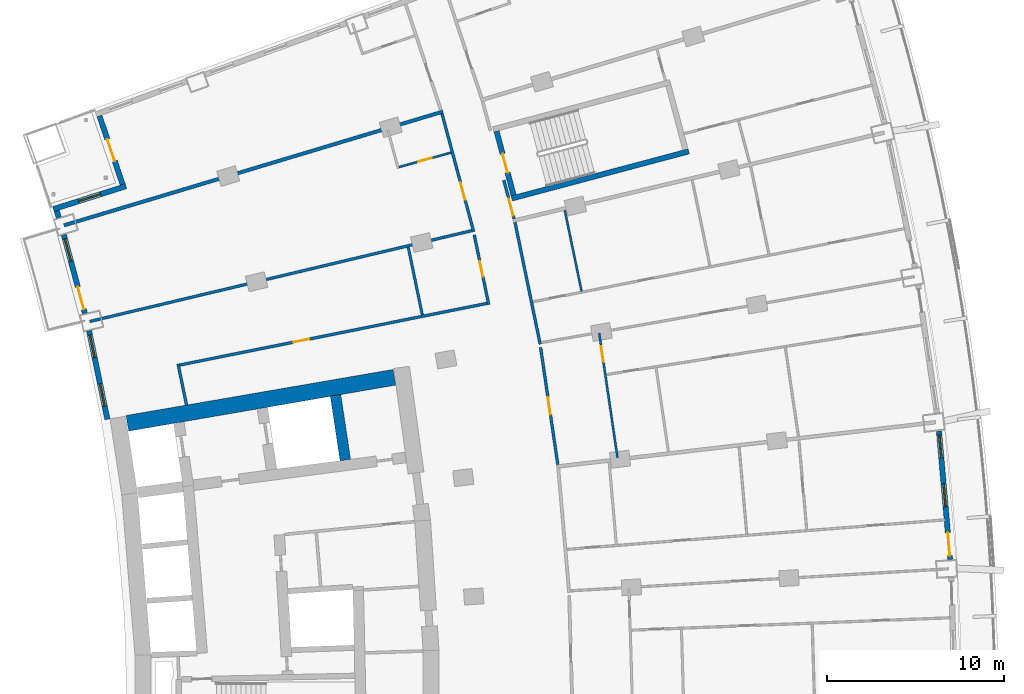
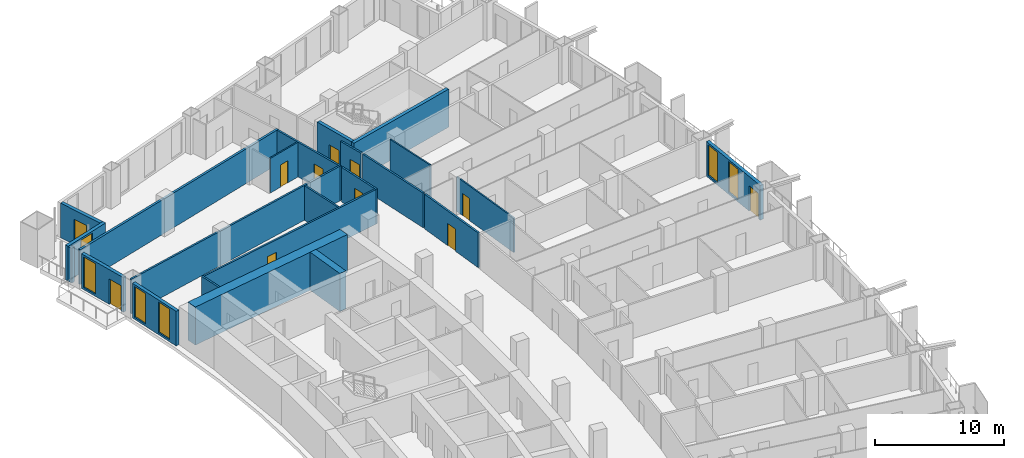
# One storey, part 19 of 25: 23 walls, 11 doors, 6 windows, 17 openings.
"""IFC4 building model written with IfcOpenShell, lengths in metres."""

from ifc_helpers import new_model, si_unit, direction, frame, frame_2d, origin, place, context, subcontext, project, spatial, rectangle, extrude, material, layer, layer_set, type_object, element, fill, save


model = new_model("IFC4")

# Units and contexts
model_context = context("Model", 3, precision=1e-05, world=origin(), true_north=direction((0.0, 1.0)))
body_context = subcontext(model_context, "Body", "Model", "MODEL_VIEW")
ifc_project = project(units=[si_unit("LENGTHUNIT", "METRE"), si_unit("AREAUNIT", "SQUARE_METRE"), si_unit("VOLUMEUNIT", "CUBIC_METRE"), si_unit("PLANEANGLEUNIT", "RADIAN"), si_unit("MASSUNIT", "GRAM", prefix="KILO")], contexts=[model_context])

# Site, building, storey
site_placement = place(None, origin())
site = spatial("IfcSite", under=ifc_project, at=site_placement, CompositionType="ELEMENT")
building_placement = place(site_placement, origin())
building = spatial("IfcBuilding", under=site, at=building_placement, Name="Alderwake Tower", CompositionType="ELEMENT")
storey_placement = place(building_placement, frame((0.0, 0.0, 57.199951171875)))
storey = spatial("IfcBuildingStorey", under=building, at=storey_placement, Name="L13", CompositionType="ELEMENT", Elevation=57.199951171875)

# Walls
ifc_material_1 = material(Name="Concrete C70/85", Category="concrete")
ifc_layer_1 = layer(ifc_material_1, 0.89990234375)
ifc_layer_set_1 = layer_set([ifc_layer_1], Name="Core wall outer 900 C70-85")
wall_type_1 = type_object("IfcWallType", Name="Core wall outer 900 C70-85", PredefinedType="SHEAR", material=ifc_layer_set_1)
wall_1_placement = place(storey_placement, frame((16.005615234375, 77.548828125, 0.0), z_axis=(0.0, 0.0, 1.0), x_axis=(0.985465815888, 0.169873852363, 0.0)))
element("IfcWall", 1, at=wall_1_placement, inside=storey, type_object=wall_type_1, Name="Core wall CW.053", PredefinedType="SHEAR", context=body_context, shape_type="SweptSolid", body=[
    extrude(rectangle(XDim=15.33056640625, YDim=0.89990234375, at=frame_2d((7.665283203125, 0.0))), origin(), (0.0, 0.0, 1.0), 3.60009765625),
])
ifc_material_2 = material(Name="Concrete C70/85", Category="concrete")
ifc_layer_2 = layer(ifc_material_2, 0.60009765625)
ifc_layer_set_2 = layer_set([ifc_layer_2], Name="Core wall spine 600 C70-85")
wall_type_2 = type_object("IfcWallType", Name="Core wall spine 600 C70-85", PredefinedType="SHEAR", material=ifc_layer_set_2)
wall_2_placement = place(storey_placement, frame((28.337646484375, 75.472412109375, 0.0), z_axis=(0.0, 0.0, 1.0), x_axis=(-0.149224787751, 0.988803298296, 0.0)))
element("IfcWall", 2, at=wall_2_placement, inside=storey, type_object=wall_type_2, Name="Core wall CW.001", PredefinedType="SHEAR", context=body_context, shape_type="SweptSolid", body=[
    extrude(rectangle(XDim=3.712158203125, YDim=0.60009765625, at=frame_2d((1.85595703125, 0.0))), origin(), (0.0, 0.0, 1.0), 3.60009765625),
])
ifc_material_3 = material(Name="Concrete C70/85", Category="concrete")
ifc_layer_3 = layer(ifc_material_3, 0.300048828125)
ifc_layer_set_3 = layer_set([ifc_layer_3], Name="Core wall stair enclosure 300 C70-85")
wall_type_3 = type_object("IfcWallType", Name="Core wall stair enclosure 300 C70-85", PredefinedType="SHEAR", material=ifc_layer_set_3)
wall_3_placement = place(storey_placement, frame((37.75390625, 90.268798828125, 0.0), z_axis=(0.0, 0.0, 1.0), x_axis=(0.966309214305, 0.257383958996, 0.0)))
element("IfcWall", 3, at=wall_3_placement, inside=storey, type_object=wall_type_3, Name="Core wall CW.084", PredefinedType="SHEAR", context=body_context, shape_type="SweptSolid", body=[
    extrude(rectangle(XDim=10.360107421875, YDim=0.300048828125, at=frame_2d((5.18017578125, 0.0))), origin(), (0.0, 0.0, 1.0), 3.60009765625),
])

# Wall, opening, door
wall_4_placement = place(storey_placement, frame((37.8603515625, 90.452392578125, 0.0), z_axis=(0.0, 0.0, 1.0), x_axis=(-0.257411420208, 0.966301899381, 0.0)))
wall_4 = element("IfcWall", 4, at=wall_4_placement, inside=storey, type_object=wall_type_3, Name="Core wall CW.083", PredefinedType="SHEAR", context=body_context, shape_type="SweptSolid", body=[
    extrude(rectangle(XDim=3.750244140625, YDim=0.300048828125, at=frame_2d((1.875, 0.0))), origin(), (0.0, 0.0, 1.0), 3.60009765625),
])
opening_1_placement = place(wall_4_placement, frame((1.324951171875, 0.0, 0.0)))
opening_1 = element("IfcOpeningElement", 5, at=opening_1_placement, cuts=wall_4, Name="Opening C062", PredefinedType="OPENING", context=body_context, shape_type="SweptSolid", body=[
    extrude(rectangle(XDim=1.10009765625, YDim=2.10009765625, at=frame_2d((0.550048828125, 1.050048828125))), frame((0.0, 0.159912109375, 0.0), z_axis=(0.0, -1.0, 0.0), x_axis=(1.0, 0.0, 0.0)), (0.0, 0.0, 1.0), 0.320068359375),
])
ifc_material_4 = material(Name="Steel-framed fire door leaf", Category="steel")
door_type_1 = type_object("IfcDoorType", Name="Core stair door 1100 fire-rated", OperationType="SINGLE_SWING_LEFT", PredefinedType="DOOR", material=ifc_material_4)
door_1_placement = place(opening_1_placement, origin())
door_1 = element("IfcDoor", 6, at=door_1_placement, inside=storey, type_object=door_type_1, Name="Stair door", OperationType="SINGLE_SWING_LEFT", OverallHeight=2.10009765625, OverallWidth=1.10009765625, PredefinedType="DOOR", context=body_context, shape_type="SweptSolid", body=[
    extrude(rectangle(XDim=1.10009765625, YDim=2.10009765625, at=frame_2d((0.550048828125, 1.050048828125))), frame((0.0, 0.02490234375, 0.0), z_axis=(0.0, -1.0, 0.0), x_axis=(1.0, 0.0, 0.0)), (0.0, 0.0, 1.0), 0.050048828125),
])
fill(opening_1, door_1)

# Wall
ifc_material_5 = material(Name="Gypsum board on metal studs, rated")
ifc_layer_4 = layer(ifc_material_5, 0.159912109375)
ifc_layer_set_4 = layer_set([ifc_layer_4], Name="Corridor wall 160")
wall_type_4 = type_object("IfcWallType", Name="Corridor wall 160", PredefinedType="PARTITIONING", material=ifc_layer_set_4)
wall_5_placement = place(storey_placement, frame((18.874755859375, 80.910400390625, 0.0), z_axis=(0.0, 0.0, 1.0), x_axis=(0.202312089075, -0.979321100873, 0.0)))
element("IfcWall", 7, at=wall_5_placement, inside=storey, type_object=wall_type_4, Name="WL/L13/W15", PredefinedType="PARTITIONING", context=body_context, shape_type="SweptSolid", body=[
    extrude(rectangle(XDim=2.39306640625, YDim=0.159912109375, at=frame_2d((1.196533203125, 0.0))), origin(), (0.0, 0.0, 1.0), 3.280029296875),
])

# Wall, opening, door
wall_6_placement = place(storey_placement, frame((35.600830078125, 88.392578125, 0.0), z_axis=(0.0, 0.0, 1.0), x_axis=(-0.2593979597, 0.965770520622, 0.0)))
wall_6 = element("IfcWall", 8, at=wall_6_placement, inside=storey, type_object=wall_type_4, Name="WL/L13/W20", PredefinedType="PARTITIONING", context=body_context, shape_type="SweptSolid", body=[
    extrude(rectangle(XDim=6.9072265625, YDim=0.159912109375, at=frame_2d((3.45361328125, 0.0))), origin(), (0.0, 0.0, 1.0), 3.280029296875),
])
opening_2_placement = place(wall_6_placement, frame((1.865478515625, 0.0, 0.0)))
opening_2 = element("IfcOpeningElement", 9, at=opening_2_placement, cuts=wall_6, Name="Opening R03-U11.1", PredefinedType="OPENING", context=body_context, shape_type="SweptSolid", body=[
    extrude(rectangle(XDim=1.0, YDim=2.10009765625, at=frame_2d((0.5, 1.050048828125))), frame((0.0, 0.08984375, 0.0), z_axis=(0.0, -1.0, 0.0), x_axis=(1.0, 0.0, 0.0)), (0.0, 0.0, 1.0), 0.179931640625),
])
ifc_material_6 = material(Name="Solid timber leaf in steel frame", Category="steel")
door_type_2 = type_object("IfcDoorType", Name="Flat entrance door 1000 fire-rated", OperationType="SINGLE_SWING_LEFT", PredefinedType="DOOR", material=ifc_material_6)
door_2_placement = place(opening_2_placement, origin())
door_2 = element("IfcDoor", 10, at=door_2_placement, inside=storey, type_object=door_type_2, Name="DR/L13/U11.1", OperationType="SINGLE_SWING_LEFT", OverallHeight=2.10009765625, OverallWidth=1.0, PredefinedType="DOOR", context=body_context, shape_type="SweptSolid", body=[
    extrude(rectangle(XDim=1.0, YDim=2.10009765625, at=frame_2d((0.5, 1.050048828125))), frame((0.0, 0.02490234375, 0.0), z_axis=(0.0, -1.0, 0.0), x_axis=(1.0, 0.0, 0.0)), (0.0, 0.0, 1.0), 0.050048828125),
])
fill(opening_2, door_2)

# Wall
wall_7_placement = place(storey_placement, frame((35.502197265625, 88.451416015625, 0.0), z_axis=(0.0, 0.0, 1.0), x_axis=(-0.972894913244, -0.231247676278, 0.0)))
element("IfcWall", 11, at=wall_7_placement, inside=storey, type_object=wall_type_4, Name="WL/L13/W22", PredefinedType="PARTITIONING", context=body_context, shape_type="SweptSolid", body=[
    extrude(rectangle(XDim=22.220458984375, YDim=0.159912109375, at=frame_2d((11.1103515625, 0.0))), origin(), (0.0, 0.0, 1.0), 3.280029296875),
])

# Wall, opening, door
wall_8_placement = place(storey_placement, frame((36.451416015625, 84.272705078125, 0.0), z_axis=(0.0, 0.0, 1.0), x_axis=(-0.203258199701, 0.979125172924, 0.0)))
wall_8 = element("IfcWall", 12, at=wall_8_placement, inside=storey, type_object=wall_type_4, Name="WL/L13/W23", PredefinedType="PARTITIONING", context=body_context, shape_type="SweptSolid", body=[
    extrude(rectangle(XDim=4.020263671875, YDim=0.159912109375, at=frame_2d((2.01025390625, 0.0))), origin(), (0.0, 0.0, 1.0), 3.280029296875),
])
opening_3_placement = place(wall_8_placement, frame((1.599609375, 0.0, 0.0)))
opening_3 = element("IfcOpeningElement", 13, at=opening_3_placement, cuts=wall_8, Name="Opening R03-SBN2", PredefinedType="OPENING", context=body_context, shape_type="SweptSolid", body=[
    extrude(rectangle(XDim=0.89990234375, YDim=2.10009765625, at=frame_2d((0.449951171875, 1.050048828125))), frame((0.0, 0.08984375, 0.0), z_axis=(0.0, -1.0, 0.0), x_axis=(1.0, 0.0, 0.0)), (0.0, 0.0, 1.0), 0.179931640625),
])
ifc_material_7 = material(Name="Painted timber leaf", Category="wood")
door_type_3 = type_object("IfcDoorType", Name="Room door 900", OperationType="SINGLE_SWING_LEFT", PredefinedType="DOOR", material=ifc_material_7)
door_3_placement = place(opening_3_placement, origin())
door_3 = element("IfcDoor", 14, at=door_3_placement, inside=storey, type_object=door_type_3, Name="DR/L13/SBN2", OperationType="SINGLE_SWING_LEFT", OverallHeight=2.10009765625, OverallWidth=0.89990234375, PredefinedType="DOOR", context=body_context, shape_type="SweptSolid", body=[
    extrude(rectangle(XDim=0.89990234375, YDim=2.10009765625, at=frame_2d((0.449951171875, 1.050048828125))), frame((0.0, 0.02490234375, 0.0), z_axis=(0.0, -1.0, 0.0), x_axis=(1.0, 0.0, 0.0)), (0.0, 0.0, 1.0), 0.050048828125),
])
fill(opening_3, door_3)

wall_9_placement = place(storey_placement, frame((18.969482421875, 80.84765625, 0.0), z_axis=(0.0, 0.0, 1.0), x_axis=(0.980470914622, 0.196664144112, 0.0)))
wall_9 = element("IfcWall", 15, at=wall_9_placement, inside=storey, type_object=wall_type_4, Name="WL/L13/W27", PredefinedType="PARTITIONING", context=body_context, shape_type="SweptSolid", body=[
    extrude(rectangle(XDim=17.733642578125, YDim=0.159912109375, at=frame_2d((8.86669921875, 0.0))), origin(), (0.0, 0.0, 1.0), 3.280029296875),
])
opening_4_placement = place(wall_9_placement, frame((6.556884765625, 0.0, 0.0)))
opening_4 = element("IfcOpeningElement", 16, at=opening_4_placement, cuts=wall_9, Name="Opening R03-SBN1", PredefinedType="OPENING", context=body_context, shape_type="SweptSolid", body=[
    extrude(rectangle(XDim=0.89990234375, YDim=2.10009765625, at=frame_2d((0.449951171875, 1.050048828125))), frame((0.0, 0.08984375, 0.0), z_axis=(0.0, -1.0, 0.0), x_axis=(1.0, 0.0, 0.0)), (0.0, 0.0, 1.0), 0.179931640625),
])
door_4_placement = place(opening_4_placement, origin())
door_4 = element("IfcDoor", 17, at=door_4_placement, inside=storey, type_object=door_type_3, Name="DR/L13/SBN1", OperationType="SINGLE_SWING_LEFT", OverallHeight=2.10009765625, OverallWidth=0.89990234375, PredefinedType="DOOR", context=body_context, shape_type="SweptSolid", body=[
    extrude(rectangle(XDim=0.89990234375, YDim=2.10009765625, at=frame_2d((0.449951171875, 1.050048828125))), frame((0.0, 0.02490234375, 0.0), z_axis=(0.0, -1.0, 0.0), x_axis=(1.0, 0.0, 0.0)), (0.0, 0.0, 1.0), 0.050048828125),
])
fill(opening_4, door_4)

wall_10_placement = place(storey_placement, frame((37.304931640625, 91.299072265625, 0.0), z_axis=(0.0, 0.0, 1.0), x_axis=(0.259946294884, -0.965623075416, 0.0)))
wall_10 = element("IfcWall", 18, at=wall_10_placement, inside=storey, type_object=wall_type_4, Name="WL/L13/W31", PredefinedType="PARTITIONING", context=body_context, shape_type="SweptSolid", body=[
    extrude(rectangle(XDim=2.255126953125, YDim=0.159912109375, at=frame_2d((1.12744140625, 0.0))), origin(), (0.0, 0.0, 1.0), 3.280029296875),
])
opening_5_placement = place(wall_10_placement, frame((1.083984375, 0.0, 0.0)))
opening_5 = element("IfcOpeningElement", 19, at=opening_5_placement, cuts=wall_10, Name="Opening R03-U02.1", PredefinedType="OPENING", context=body_context, shape_type="SweptSolid", body=[
    extrude(rectangle(XDim=1.0, YDim=2.10009765625, at=frame_2d((0.5, 1.050048828125))), frame((0.0, 0.08984375, 0.0), z_axis=(0.0, -1.0, 0.0), x_axis=(1.0, 0.0, 0.0)), (0.0, 0.0, 1.0), 0.179931640625),
])
door_5_placement = place(opening_5_placement, origin())
door_5 = element("IfcDoor", 20, at=door_5_placement, inside=storey, type_object=door_type_2, Name="DR/L13/U02.1", OperationType="SINGLE_SWING_LEFT", OverallHeight=2.10009765625, OverallWidth=1.0, PredefinedType="DOOR", context=body_context, shape_type="SweptSolid", body=[
    extrude(rectangle(XDim=1.0, YDim=2.10009765625, at=frame_2d((0.5, 1.050048828125))), frame((0.0, 0.02490234375, 0.0), z_axis=(0.0, -1.0, 0.0), x_axis=(1.0, 0.0, 0.0)), (0.0, 0.0, 1.0), 0.050048828125),
])
fill(opening_5, door_5)

# Wall
wall_11_placement = place(storey_placement, frame((39.3642578125, 82.022705078125, 0.0), z_axis=(0.0, 0.0, 1.0), x_axis=(-0.20240521091, 0.979301858773, 0.0)))
element("IfcWall", 21, at=wall_11_placement, inside=storey, type_object=wall_type_4, Name="WL/L13/W33", PredefinedType="PARTITIONING", context=body_context, shape_type="SweptSolid", body=[
    extrude(rectangle(XDim=7.05029296875, YDim=0.159912109375, at=frame_2d((3.525146484375, 0.0))), origin(), (0.0, 0.0, 1.0), 3.280029296875),
])

# Wall, opening, door
wall_12_placement = place(storey_placement, frame((39.38671875, 81.837158203125, 0.0), z_axis=(0.0, 0.0, 1.0), x_axis=(0.145576845789, -0.989346947218, 0.0)))
wall_12 = element("IfcWall", 22, at=wall_12_placement, inside=storey, type_object=wall_type_4, Name="WL/L13/W35", PredefinedType="PARTITIONING", context=body_context, shape_type="SweptSolid", body=[
    extrude(rectangle(XDim=6.701416015625, YDim=0.159912109375, at=frame_2d((3.3505859375, 0.0))), origin(), (0.0, 0.0, 1.0), 3.280029296875),
])
opening_6_placement = place(wall_12_placement, frame((2.850830078125, 0.0, 0.0)))
opening_6 = element("IfcOpeningElement", 23, at=opening_6_placement, cuts=wall_12, Name="Opening R03-U08.2", PredefinedType="OPENING", context=body_context, shape_type="SweptSolid", body=[
    extrude(rectangle(XDim=1.0, YDim=2.10009765625, at=frame_2d((0.5, 1.050048828125))), frame((0.0, 0.08984375, 0.0), z_axis=(0.0, -1.0, 0.0), x_axis=(1.0, 0.0, 0.0)), (0.0, 0.0, 1.0), 0.179931640625),
])
door_6_placement = place(opening_6_placement, origin())
door_6 = element("IfcDoor", 24, at=door_6_placement, inside=storey, type_object=door_type_2, Name="DR/L13/U08.2", OperationType="SINGLE_SWING_LEFT", OverallHeight=2.10009765625, OverallWidth=1.0, PredefinedType="DOOR", context=body_context, shape_type="SweptSolid", body=[
    extrude(rectangle(XDim=1.0, YDim=2.10009765625, at=frame_2d((0.5, 1.050048828125))), frame((0.0, 0.02490234375, 0.0), z_axis=(0.0, -1.0, 0.0), x_axis=(1.0, 0.0, 0.0)), (0.0, 0.0, 1.0), 0.050048828125),
])
fill(opening_6, door_6)

# Wall, openings, door, windows
ifc_material_8 = material(Name="Precast concrete C50/60 spandrel panel", Category="concrete")
ifc_layer_5 = layer(ifc_material_8, 0.300048828125)
ifc_layer_set_5 = layer_set([ifc_layer_5], Name="External wall EW1 Precast concrete C50/60 spandrel")
wall_type_5 = type_object("IfcWallType", Name="External wall EW1 Precast concrete C50/60 spandrel", PredefinedType="SOLIDWALL", material=ifc_layer_set_5)
wall_13_placement = place(storey_placement, frame((62.56103515625, 69.8505859375, 0.0), z_axis=(0.0, 0.0, 1.0), x_axis=(-0.087361569519, 0.996176669156, 0.0)))
wall_13 = element("IfcWall", 25, at=wall_13_placement, inside=storey, type_object=wall_type_5, Name="External wall 18", PredefinedType="SOLIDWALL", context=body_context, shape_type="SweptSolid", body=[
    extrude(rectangle(XDim=7.28271484375, YDim=0.300048828125, at=frame_2d((3.641357421875, 0.0))), origin(), (0.0, 0.0, 1.0), 3.280029296875),
])
opening_7_placement = place(wall_13_placement, frame((0.218994140625, 0.0, 0.0)))
opening_7 = element("IfcOpeningElement", 26, at=opening_7_placement, cuts=wall_13, Name="Opening D08", PredefinedType="OPENING", context=body_context, shape_type="SweptSolid", body=[
    extrude(rectangle(XDim=1.300048828125, YDim=2.39990234375, at=frame_2d((0.64990234375, 1.199951171875))), frame((0.0, 0.159912109375, 0.0), z_axis=(0.0, -1.0, 0.0), x_axis=(1.0, 0.0, 0.0)), (0.0, 0.0, 1.0), 0.320068359375),
])
opening_8_placement = place(wall_13_placement, frame((2.9912109375, 0.0, 0.199951171875)))
opening_8 = element("IfcOpeningElement", 27, at=opening_8_placement, cuts=wall_13, Name="Opening W1", PredefinedType="OPENING", context=body_context, shape_type="SweptSolid", body=[
    extrude(rectangle(XDim=1.300048828125, YDim=2.89990234375, at=frame_2d((0.64990234375, 1.449951171875))), frame((0.0, 0.159912109375, 0.0), z_axis=(0.0, -1.0, 0.0), x_axis=(1.0, 0.0, 0.0)), (0.0, 0.0, 1.0), 0.320068359375),
])
opening_9_placement = place(wall_13_placement, frame((5.763671875, 0.0, 0.199951171875)))
opening_9 = element("IfcOpeningElement", 28, at=opening_9_placement, cuts=wall_13, Name="Opening W1", PredefinedType="OPENING", context=body_context, shape_type="SweptSolid", body=[
    extrude(rectangle(XDim=1.300048828125, YDim=2.89990234375, at=frame_2d((0.64990234375, 1.449951171875))), frame((0.0, 0.159912109375, 0.0), z_axis=(0.0, -1.0, 0.0), x_axis=(1.0, 0.0, 0.0)), (0.0, 0.0, 1.0), 0.320068359375),
])
ifc_material_9 = material(Name="Bronze tinted glass in aluminium frame", Category="aluminium")
door_type_4 = type_object("IfcDoorType", Name="Balcony door BD sliding", OperationType="SLIDING_TO_LEFT", PredefinedType="DOOR", material=ifc_material_9)
door_7_placement = place(opening_7_placement, origin())
door_7 = element("IfcDoor", 29, at=door_7_placement, inside=storey, type_object=door_type_4, Name="Door D08", OperationType="SLIDING_TO_LEFT", OverallHeight=2.39990234375, OverallWidth=1.300048828125, PredefinedType="DOOR", context=body_context, shape_type="SweptSolid", body=[
    extrude(rectangle(XDim=1.300048828125, YDim=2.39990234375, at=frame_2d((0.64990234375, 1.199951171875))), frame((0.0, 0.02490234375, 0.0), z_axis=(0.0, -1.0, 0.0), x_axis=(1.0, 0.0, 0.0)), (0.0, 0.0, 1.0), 0.050048828125),
])
fill(opening_7, door_7)
ifc_material_10 = material(Name="Bronze tinted glass in aluminium frame", Category="aluminium")
window_type = type_object("IfcWindowType", Name="Window W1 tall fixed and vent", PartitioningType="DOUBLE_PANEL_VERTICAL", PredefinedType="WINDOW", material=ifc_material_10)
window_1_placement = place(opening_8_placement, origin())
window_1 = element("IfcWindow", 30, at=window_1_placement, inside=storey, type_object=window_type, Name="Window W1 tall fixed and vent", OverallHeight=2.89990234375, OverallWidth=1.300048828125, PartitioningType="DOUBLE_PANEL_VERTICAL", PredefinedType="WINDOW", context=body_context, shape_type="SweptSolid", body=[
    extrude(rectangle(XDim=1.300048828125, YDim=2.89990234375, at=frame_2d((0.64990234375, 1.449951171875))), frame((0.0, 0.030029296875, 0.0), z_axis=(0.0, -1.0, 0.0), x_axis=(1.0, 0.0, 0.0)), (0.0, 0.0, 1.0), 0.06005859375),
])
fill(opening_8, window_1)
window_2_placement = place(opening_9_placement, origin())
window_2 = element("IfcWindow", 31, at=window_2_placement, inside=storey, type_object=window_type, Name="Window W1 tall fixed and vent", OverallHeight=2.89990234375, OverallWidth=1.300048828125, PartitioningType="DOUBLE_PANEL_VERTICAL", PredefinedType="WINDOW", context=body_context, shape_type="SweptSolid", body=[
    extrude(rectangle(XDim=1.300048828125, YDim=2.89990234375, at=frame_2d((0.64990234375, 1.449951171875))), frame((0.0, 0.030029296875, 0.0), z_axis=(0.0, -1.0, 0.0), x_axis=(1.0, 0.0, 0.0)), (0.0, 0.0, 1.0), 0.06005859375),
])
fill(opening_9, window_2)

# Wall
wall_14_placement = place(storey_placement, frame((12.01416015625, 89.5703125, 0.0), z_axis=(0.0, 0.0, 1.0), x_axis=(0.29468230117, -0.955595281161, 0.0)))
element("IfcWall", 32, at=wall_14_placement, inside=storey, type_object=wall_type_5, Name="External wall 32", PredefinedType="SOLIDWALL", context=body_context, shape_type="SweptSolid", body=[
    extrude(rectangle(XDim=0.402587890625, YDim=0.300048828125, at=frame_2d((0.201171875, 0.0))), origin(), (0.0, 0.0, 1.0), 3.280029296875),
])

# Wall, openings, door, window
wall_15_placement = place(storey_placement, frame((12.4130859375, 88.212890625, 0.0), z_axis=(0.0, 0.0, 1.0), x_axis=(0.259495671332, -0.965744270788, 0.0)))
wall_15 = element("IfcWall", 33, at=wall_15_placement, inside=storey, type_object=wall_type_5, Name="External wall 33", PredefinedType="SOLIDWALL", context=body_context, shape_type="SweptSolid", body=[
    extrude(rectangle(XDim=4.599609375, YDim=0.300048828125, at=frame_2d((2.2998046875, 0.0))), origin(), (0.0, 0.0, 1.0), 3.280029296875),
])
opening_10_placement = place(wall_15_placement, frame((0.2412109375, 0.0, 0.199951171875)))
opening_10 = element("IfcOpeningElement", 34, at=opening_10_placement, cuts=wall_15, Name="Opening W1", PredefinedType="OPENING", context=body_context, shape_type="SweptSolid", body=[
    extrude(rectangle(XDim=1.300048828125, YDim=2.89990234375, at=frame_2d((0.64990234375, 1.449951171875))), frame((0.0, 0.159912109375, 0.0), z_axis=(0.0, -1.0, 0.0), x_axis=(1.0, 0.0, 0.0)), (0.0, 0.0, 1.0), 0.320068359375),
])
opening_11_placement = place(wall_15_placement, frame((3.058349609375, 0.0, 0.0)))
opening_11 = element("IfcOpeningElement", 35, at=opening_11_placement, cuts=wall_15, Name="Opening D14", PredefinedType="OPENING", context=body_context, shape_type="SweptSolid", body=[
    extrude(rectangle(XDim=1.300048828125, YDim=2.39990234375, at=frame_2d((0.64990234375, 1.199951171875))), frame((0.0, 0.159912109375, 0.0), z_axis=(0.0, -1.0, 0.0), x_axis=(1.0, 0.0, 0.0)), (0.0, 0.0, 1.0), 0.320068359375),
])
door_8_placement = place(opening_11_placement, origin())
door_8 = element("IfcDoor", 36, at=door_8_placement, inside=storey, type_object=door_type_4, Name="Door D14", OperationType="SLIDING_TO_LEFT", OverallHeight=2.39990234375, OverallWidth=1.300048828125, PredefinedType="DOOR", context=body_context, shape_type="SweptSolid", body=[
    extrude(rectangle(XDim=1.300048828125, YDim=2.39990234375, at=frame_2d((0.64990234375, 1.199951171875))), frame((0.0, 0.02490234375, 0.0), z_axis=(0.0, -1.0, 0.0), x_axis=(1.0, 0.0, 0.0)), (0.0, 0.0, 1.0), 0.050048828125),
])
fill(opening_11, door_8)
window_3_placement = place(opening_10_placement, origin())
window_3 = element("IfcWindow", 37, at=window_3_placement, inside=storey, type_object=window_type, Name="Window W1 tall fixed and vent", OverallHeight=2.89990234375, OverallWidth=1.300048828125, PartitioningType="DOUBLE_PANEL_VERTICAL", PredefinedType="WINDOW", context=body_context, shape_type="SweptSolid", body=[
    extrude(rectangle(XDim=1.300048828125, YDim=2.89990234375, at=frame_2d((0.64990234375, 1.449951171875))), frame((0.0, 0.030029296875, 0.0), z_axis=(0.0, -1.0, 0.0), x_axis=(1.0, 0.0, 0.0)), (0.0, 0.0, 1.0), 0.06005859375),
])
fill(opening_10, window_3)

# Wall, openings, windows
wall_16_placement = place(storey_placement, frame((13.842529296875, 82.77880859375, 0.0), z_axis=(0.0, 0.0, 1.0), x_axis=(0.202738354746, -0.979232944459, 0.0)))
wall_16 = element("IfcWall", 38, at=wall_16_placement, inside=storey, type_object=wall_type_5, Name="External wall 34", PredefinedType="SOLIDWALL", context=body_context, shape_type="SweptSolid", body=[
    extrude(rectangle(XDim=5.1083984375, YDim=0.300048828125, at=frame_2d((2.55419921875, 0.0))), origin(), (0.0, 0.0, 1.0), 3.280029296875),
])
opening_12_placement = place(wall_16_placement, frame((0.239013671875, 0.0, 0.199951171875)))
opening_12 = element("IfcOpeningElement", 39, at=opening_12_placement, cuts=wall_16, Name="Opening W1", PredefinedType="OPENING", context=body_context, shape_type="SweptSolid", body=[
    extrude(rectangle(XDim=1.300048828125, YDim=2.89990234375, at=frame_2d((0.64990234375, 1.449951171875))), frame((0.0, 0.159912109375, 0.0), z_axis=(0.0, -1.0, 0.0), x_axis=(1.0, 0.0, 0.0)), (0.0, 0.0, 1.0), 0.320068359375),
])
opening_13_placement = place(wall_16_placement, frame((3.0517578125, 0.0, 0.199951171875)))
opening_13 = element("IfcOpeningElement", 40, at=opening_13_placement, cuts=wall_16, Name="Opening W1", PredefinedType="OPENING", context=body_context, shape_type="SweptSolid", body=[
    extrude(rectangle(XDim=1.300048828125, YDim=2.89990234375, at=frame_2d((0.64990234375, 1.449951171875))), frame((0.0, 0.159912109375, 0.0), z_axis=(0.0, -1.0, 0.0), x_axis=(1.0, 0.0, 0.0)), (0.0, 0.0, 1.0), 0.320068359375),
])
window_4_placement = place(opening_12_placement, origin())
window_4 = element("IfcWindow", 41, at=window_4_placement, inside=storey, type_object=window_type, Name="Window W1 tall fixed and vent", OverallHeight=2.89990234375, OverallWidth=1.300048828125, PartitioningType="DOUBLE_PANEL_VERTICAL", PredefinedType="WINDOW", context=body_context, shape_type="SweptSolid", body=[
    extrude(rectangle(XDim=1.300048828125, YDim=2.89990234375, at=frame_2d((0.64990234375, 1.449951171875))), frame((0.0, 0.030029296875, 0.0), z_axis=(0.0, -1.0, 0.0), x_axis=(1.0, 0.0, 0.0)), (0.0, 0.0, 1.0), 0.06005859375),
])
fill(opening_12, window_4)
window_5_placement = place(opening_13_placement, origin())
window_5 = element("IfcWindow", 42, at=window_5_placement, inside=storey, type_object=window_type, Name="Window W1 tall fixed and vent", OverallHeight=2.89990234375, OverallWidth=1.300048828125, PartitioningType="DOUBLE_PANEL_VERTICAL", PredefinedType="WINDOW", context=body_context, shape_type="SweptSolid", body=[
    extrude(rectangle(XDim=1.300048828125, YDim=2.89990234375, at=frame_2d((0.64990234375, 1.449951171875))), frame((0.0, 0.030029296875, 0.0), z_axis=(0.0, -1.0, 0.0), x_axis=(1.0, 0.0, 0.0)), (0.0, 0.0, 1.0), 0.06005859375),
])
fill(opening_13, window_5)

# Wall, opening, door
ifc_material_11 = material(Name="Bronze metal cladding on lightweight framing")
ifc_layer_6 = layer(ifc_material_11, 0.300048828125)
ifc_layer_set_6 = layer_set([ifc_layer_6], Name="External wall EW2 bronze metal cladding")
wall_type_6 = type_object("IfcWallType", Name="External wall EW2 bronze metal cladding", PredefinedType="SOLIDWALL", material=ifc_layer_set_6)
wall_17_placement = place(storey_placement, frame((14.430908203125, 94.937744140625, 0.0), z_axis=(0.0, 0.0, 1.0), x_axis=(0.320379458656, -0.947289291859, 0.0)))
wall_17 = element("IfcWall", 43, at=wall_17_placement, inside=storey, type_object=wall_type_6, Name="External wall 30", PredefinedType="SOLIDWALL", context=body_context, shape_type="SweptSolid", body=[
    extrude(rectangle(XDim=4.08984375, YDim=0.300048828125, at=frame_2d((2.044921875, 0.0))), origin(), (0.0, 0.0, 1.0), 3.280029296875),
])
opening_14_placement = place(wall_17_placement, frame((1.39501953125, 0.0, 0.0)))
opening_14 = element("IfcOpeningElement", 44, at=opening_14_placement, cuts=wall_17, Name="Opening D13", PredefinedType="OPENING", context=body_context, shape_type="SweptSolid", body=[
    extrude(rectangle(XDim=1.300048828125, YDim=2.39990234375, at=frame_2d((0.64990234375, 1.199951171875))), frame((0.0, 0.159912109375, 0.0), z_axis=(0.0, -1.0, 0.0), x_axis=(1.0, 0.0, 0.0)), (0.0, 0.0, 1.0), 0.320068359375),
])
door_9_placement = place(opening_14_placement, origin())
door_9 = element("IfcDoor", 45, at=door_9_placement, inside=storey, type_object=door_type_4, Name="Door D13", OperationType="SLIDING_TO_LEFT", OverallHeight=2.39990234375, OverallWidth=1.300048828125, PredefinedType="DOOR", context=body_context, shape_type="SweptSolid", body=[
    extrude(rectangle(XDim=1.300048828125, YDim=2.39990234375, at=frame_2d((0.64990234375, 1.199951171875))), frame((0.0, 0.02490234375, 0.0), z_axis=(0.0, -1.0, 0.0), x_axis=(1.0, 0.0, 0.0)), (0.0, 0.0, 1.0), 0.050048828125),
])
fill(opening_14, door_9)

# Wall, opening, window
wall_18_placement = place(storey_placement, frame((15.932373046875, 90.966552734375, 0.0), z_axis=(0.0, 0.0, 1.0), x_axis=(-0.953473772386, -0.301475978103, 0.0)))
wall_18 = element("IfcWall", 46, at=wall_18_placement, inside=storey, type_object=wall_type_6, Name="External wall 31", PredefinedType="SOLIDWALL", context=body_context, shape_type="SweptSolid", body=[
    extrude(rectangle(XDim=4.305908203125, YDim=0.300048828125, at=frame_2d((2.15283203125, 0.0))), origin(), (0.0, 0.0, 1.0), 3.280029296875),
])
opening_15_placement = place(wall_18_placement, frame((1.5029296875, 0.0, 0.199951171875)))
opening_15 = element("IfcOpeningElement", 47, at=opening_15_placement, cuts=wall_18, Name="Opening W1", PredefinedType="OPENING", context=body_context, shape_type="SweptSolid", body=[
    extrude(rectangle(XDim=1.300048828125, YDim=2.89990234375, at=frame_2d((0.64990234375, 1.449951171875))), frame((0.0, 0.159912109375, 0.0), z_axis=(0.0, -1.0, 0.0), x_axis=(1.0, 0.0, 0.0)), (0.0, 0.0, 1.0), 0.320068359375),
])
window_6_placement = place(opening_15_placement, origin())
window_6 = element("IfcWindow", 48, at=window_6_placement, inside=storey, type_object=window_type, Name="Window W1 tall fixed and vent", OverallHeight=2.89990234375, OverallWidth=1.300048828125, PartitioningType="DOUBLE_PANEL_VERTICAL", PredefinedType="WINDOW", context=body_context, shape_type="SweptSolid", body=[
    extrude(rectangle(XDim=1.300048828125, YDim=2.89990234375, at=frame_2d((0.64990234375, 1.449951171875))), frame((0.0, 0.030029296875, 0.0), z_axis=(0.0, -1.0, 0.0), x_axis=(1.0, 0.0, 0.0)), (0.0, 0.0, 1.0), 0.06005859375),
])
fill(opening_15, window_6)

# Walls
ifc_material_12 = material(Name="Dense block masonry wall", Category="masonry")
ifc_layer_7 = layer(ifc_material_12, 0.199951171875)
ifc_layer_set_7 = layer_set([ifc_layer_7], Name="Party wall 200")
wall_type_7 = type_object("IfcWallType", Name="Party wall 200", PredefinedType="SOLIDWALL", material=ifc_layer_set_7)
wall_19_placement = place(storey_placement, frame((33.859619140625, 95.18310546875, 0.0), z_axis=(0.0, 0.0, 1.0), x_axis=(-0.957787847597, -0.287475979859, 0.0)))
element("IfcWall", 49, at=wall_19_placement, inside=storey, type_object=wall_type_7, Name="WL/L13/W02", PredefinedType="SOLIDWALL", context=body_context, shape_type="SweptSolid", body=[
    extrude(rectangle(XDim=22.38134765625, YDim=0.199951171875, at=frame_2d((11.190673828125, 0.0))), origin(), (0.0, 0.0, 1.0), 3.280029296875),
])
ifc_material_13 = material(Name="Gypsum shaft wall system, rated")
ifc_layer_8 = layer(ifc_material_13, 0.14990234375)
ifc_layer_set_8 = layer_set([ifc_layer_8], Name="Riser and shaft wall 150")
wall_type_8 = type_object("IfcWallType", Name="Riser and shaft wall 150", PredefinedType="PARTITIONING", material=ifc_layer_set_8)
wall_20_placement = place(storey_placement, frame((32.69287109375, 83.682373046875, 0.0), z_axis=(0.0, 0.0, 1.0), x_axis=(-0.20266545775, 0.979248034073, 0.0)))
element("IfcWall", 50, at=wall_20_placement, inside=storey, type_object=wall_type_8, Name="WL/L13/W10", PredefinedType="PARTITIONING", context=body_context, shape_type="SweptSolid", body=[
    extrude(rectangle(XDim=3.911376953125, YDim=0.14990234375, at=frame_2d((1.95556640625, 0.0))), origin(), (0.0, 0.0, 1.0), 3.280029296875),
])

# Wall, opening, door
ifc_material_14 = material(Name="Moisture resistant gypsum board on metal studs")
ifc_layer_9 = layer(ifc_material_14, 0.1201171875)
ifc_layer_set_9 = layer_set([ifc_layer_9], Name="Wet room partition 120")
wall_type_9 = type_object("IfcWallType", Name="Wet room partition 120", PredefinedType="PARTITIONING", material=ifc_layer_set_9)
wall_21_placement = place(storey_placement, frame((31.371826171875, 92.044189453125, 0.0), z_axis=(0.0, 0.0, 1.0), x_axis=(0.963351881246, 0.268240848677, 0.0)))
wall_21 = element("IfcWall", 51, at=wall_21_placement, inside=storey, type_object=wall_type_9, Name="WL/L13/W45", PredefinedType="PARTITIONING", context=body_context, shape_type="SweptSolid", body=[
    extrude(rectangle(XDim=3.05810546875, YDim=0.1201171875, at=frame_2d((1.529052734375, 0.0))), origin(), (0.0, 0.0, 1.0), 3.280029296875),
])
opening_16_placement = place(wall_21_placement, frame((1.129150390625, 0.0, 0.0)))
opening_16 = element("IfcOpeningElement", 52, at=opening_16_placement, cuts=wall_21, Name="Opening R03-U11.2", PredefinedType="OPENING", context=body_context, shape_type="SweptSolid", body=[
    extrude(rectangle(XDim=0.800048828125, YDim=2.10009765625, at=frame_2d((0.39990234375, 1.050048828125))), frame((0.0, 0.070068359375, 0.0), z_axis=(0.0, -1.0, 0.0), x_axis=(1.0, 0.0, 0.0)), (0.0, 0.0, 1.0), 0.14013671875),
])
ifc_material_15 = material(Name="Painted timber leaf", Category="wood")
door_type_5 = type_object("IfcDoorType", Name="Bathroom door 800", OperationType="SINGLE_SWING_LEFT", PredefinedType="DOOR", material=ifc_material_15)
door_10_placement = place(opening_16_placement, origin())
door_10 = element("IfcDoor", 53, at=door_10_placement, inside=storey, type_object=door_type_5, Name="DR/L13/U11.2", OperationType="SINGLE_SWING_LEFT", OverallHeight=2.10009765625, OverallWidth=0.800048828125, PredefinedType="DOOR", context=body_context, shape_type="SweptSolid", body=[
    extrude(rectangle(XDim=0.800048828125, YDim=2.10009765625, at=frame_2d((0.39990234375, 1.050048828125))), frame((0.0, 0.02490234375, 0.0), z_axis=(0.0, -1.0, 0.0), x_axis=(1.0, 0.0, 0.0)), (0.0, 0.0, 1.0), 0.050048828125),
])
fill(opening_16, door_10)

# Wall
wall_22_placement = place(storey_placement, frame((41.704833984375, 85.01806640625, 0.0), z_axis=(0.0, 0.0, 1.0), x_axis=(-0.20267985984, 0.979245053301, 0.0)))
element("IfcWall", 54, at=wall_22_placement, inside=storey, type_object=wall_type_9, Name="WL/L13/W53", PredefinedType="PARTITIONING", context=body_context, shape_type="SweptSolid", body=[
    extrude(rectangle(XDim=4.6748046875, YDim=0.1201171875, at=frame_2d((2.33740234375, 0.0))), origin(), (0.0, 0.0, 1.0), 3.280029296875),
])

# Wall, opening, door
wall_23_placement = place(storey_placement, frame((42.703369140625, 82.6455078125, 0.0), z_axis=(0.0, 0.0, 1.0), x_axis=(0.145290574876, -0.989389028063, 0.0)))
wall_23 = element("IfcWall", 55, at=wall_23_placement, inside=storey, type_object=wall_type_9, Name="WL/L13/W55", PredefinedType="PARTITIONING", context=body_context, shape_type="SweptSolid", body=[
    extrude(rectangle(XDim=7.117919921875, YDim=0.1201171875, at=frame_2d((3.55908203125, 0.0))), origin(), (0.0, 0.0, 1.0), 3.280029296875),
])
opening_17_placement = place(wall_23_placement, frame((0.73681640625, 0.0, 0.0)))
opening_17 = element("IfcOpeningElement", 56, at=opening_17_placement, cuts=wall_23, Name="Opening R03-U08.3", PredefinedType="OPENING", context=body_context, shape_type="SweptSolid", body=[
    extrude(rectangle(XDim=0.89990234375, YDim=2.10009765625, at=frame_2d((0.449951171875, 1.050048828125))), frame((0.0, 0.070068359375, 0.0), z_axis=(0.0, -1.0, 0.0), x_axis=(1.0, 0.0, 0.0)), (0.0, 0.0, 1.0), 0.14013671875),
])
door_11_placement = place(opening_17_placement, origin())
door_11 = element("IfcDoor", 57, at=door_11_placement, inside=storey, type_object=door_type_3, Name="DR/L13/U08.3", OperationType="SINGLE_SWING_LEFT", OverallHeight=2.10009765625, OverallWidth=0.89990234375, PredefinedType="DOOR", context=body_context, shape_type="SweptSolid", body=[
    extrude(rectangle(XDim=0.89990234375, YDim=2.10009765625, at=frame_2d((0.449951171875, 1.050048828125))), frame((0.0, 0.02490234375, 0.0), z_axis=(0.0, -1.0, 0.0), x_axis=(1.0, 0.0, 0.0)), (0.0, 0.0, 1.0), 0.050048828125),
])
fill(opening_17, door_11)

save(model, "model.ifc")
